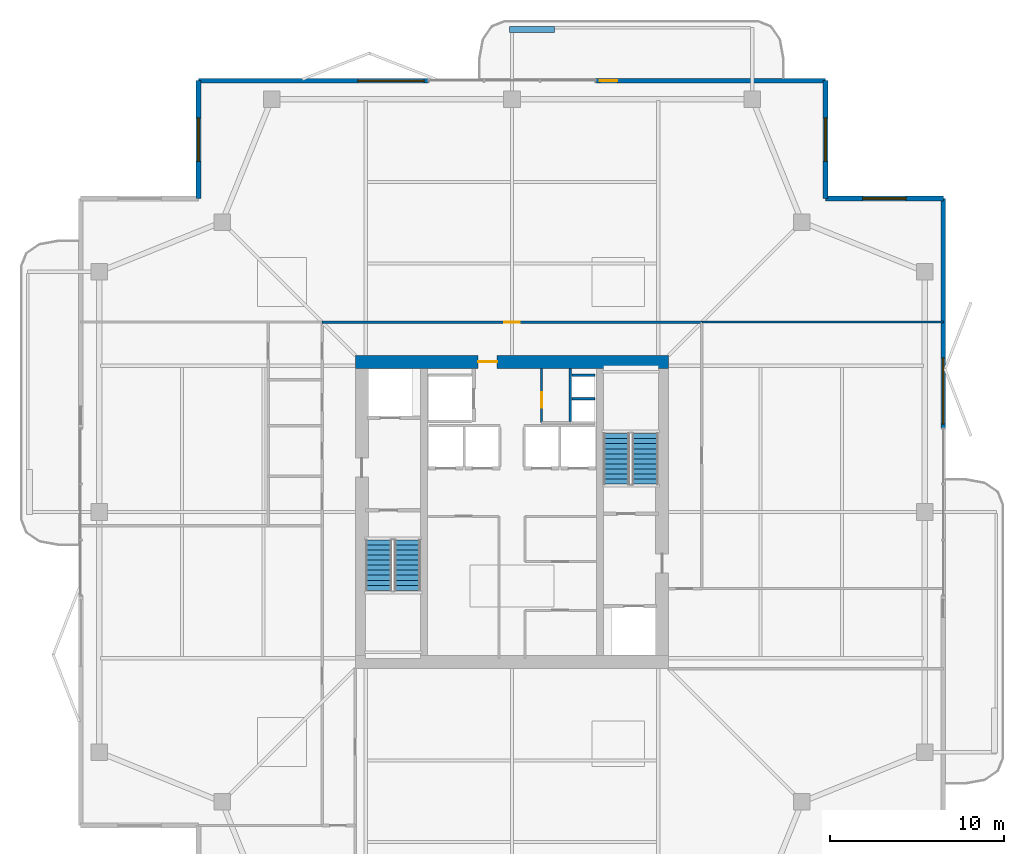
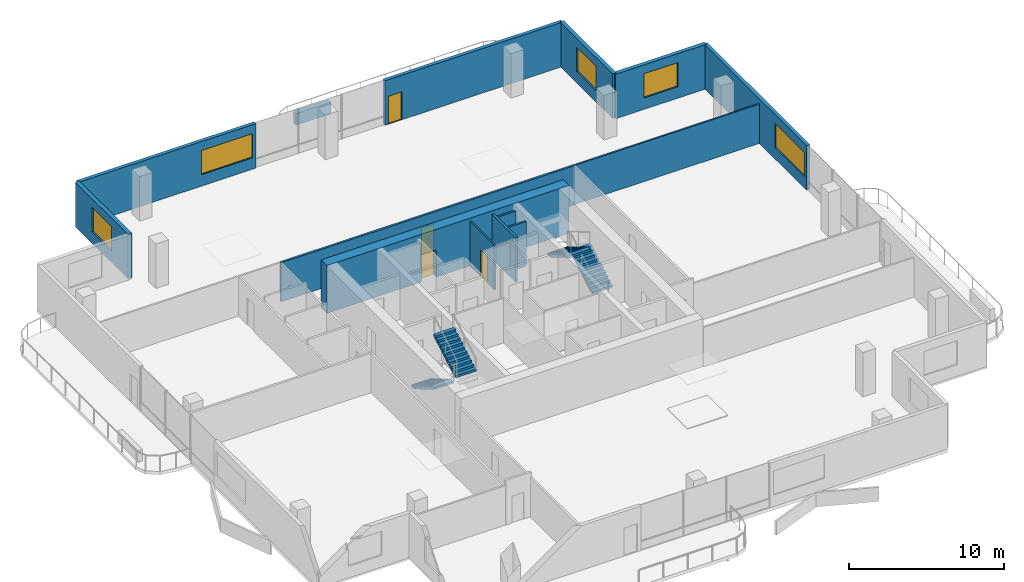
# One storey, part 20 of 23: 14 walls, 5 windows, 4 doors, 4 stair flights, 9 openings, 2 elements without a shape of their own.
"""IFC4 building model written with IfcOpenShell, lengths in metres."""

from ifc_helpers import new_model, si_unit, direction, frame, frame_2d, origin, place, context, subcontext, project, spatial, polyline, rectangle, outline, extrude, material, layer, layer_set, type_object, element, fill, aggregate, save


model = new_model("IFC4")

# Units and contexts
model_context = context("Model", 3, precision=1e-05, world=origin(), true_north=direction((0.0, 1.0)))
body_context = subcontext(model_context, "Body", "Model", "MODEL_VIEW")
ifc_project = project(units=[si_unit("LENGTHUNIT", "METRE"), si_unit("AREAUNIT", "SQUARE_METRE"), si_unit("VOLUMEUNIT", "CUBIC_METRE"), si_unit("PLANEANGLEUNIT", "RADIAN"), si_unit("MASSUNIT", "GRAM", prefix="KILO")], contexts=[model_context])

# Site, building, storey
site_placement = place(None, origin())
site = spatial("IfcSite", under=ifc_project, at=site_placement, CompositionType="ELEMENT")
building_placement = place(site_placement, origin())
building = spatial("IfcBuilding", under=site, at=building_placement, Name="Belovzor Exchange Tower", CompositionType="ELEMENT")
storey_placement = place(building_placement, frame((0.0, 0.0, 276.60009765625)))
storey = spatial("IfcBuildingStorey", under=building, at=storey_placement, Name="L69", CompositionType="ELEMENT", Elevation=276.60009765625)

# Wall
ifc_material_1 = material(Name="Acoustic Plasterboard on Galvanised Studs", Category="gypsum")
ifc_layer_1 = layer(ifc_material_1, 0.1201171875)
ifc_layer_set_1 = layer_set([ifc_layer_1], Name="Acoustic Plasterboard on Galvanised Studs")
wall_type_1 = type_object("IfcWallType", Name="Acoustic Double-Stud Partition Wall 120", PredefinedType="PARTITIONING", material=ifc_layer_set_1)
wall_1_placement = place(storey_placement, frame((39.699951171875, 39.699951171875, 0.0), z_axis=(0.0, 0.0, 1.0), x_axis=(1.0, 0.0, 0.0)))
element("IfcWall", 1, at=wall_1_placement, inside=storey, type_object=wall_type_1, Name="W-P120 Partition Wall W-L69-END-NE", PredefinedType="PARTITIONING", context=body_context, shape_type="SweptSolid", body=[
    extrude(rectangle(XDim=13.8701171875, YDim=0.1201171875, at=frame_2d((6.93505859375, 0.0))), origin(), (0.0, 0.0, 1.0), 3.0849609375),
])

# Wall, opening, door
ifc_material_2 = material(Name="Fire-Rated Plasterboard on Galvanised Studs", Category="gypsum")
ifc_layer_2 = layer(ifc_material_2, 0.1201171875)
ifc_layer_set_2 = layer_set([ifc_layer_2], Name="Fire-Rated Plasterboard on Galvanised Studs")
wall_type_2 = type_object("IfcWallType", Name="Fire-Rated Double-Stud Partition Wall 120", PredefinedType="PARTITIONING", material=ifc_layer_set_2)
wall_2_placement = place(storey_placement, frame((30.5, 33.925048828125, 0.0), z_axis=(0.0, 0.0, 1.0), x_axis=(0.0, 1.0, 0.0)))
wall_2 = element("IfcWall", 2, at=wall_2_placement, inside=storey, type_object=wall_type_2, Name="W-P120F Partition Wall W-CRV-L69-W", PredefinedType="PARTITIONING", context=body_context, shape_type="SweptSolid", body=[
    extrude(rectangle(XDim=3.125, YDim=0.1201171875, at=frame_2d((1.5625, 0.0))), origin(), (0.0, 0.0, 1.0), 3.5),
])
opening_1_placement = place(wall_2_placement, frame((0.85009765625, 0.0, 0.0)))
opening_1 = element("IfcOpeningElement", 3, at=opening_1_placement, cuts=wall_2, Name="Opening D-FD60-090", PredefinedType="OPENING", context=body_context, shape_type="SweptSolid", body=[
    extrude(rectangle(XDim=0.89990234375, YDim=2.10009765625, at=frame_2d((0.449951171875, 1.050048828125))), frame((0.0, 0.070068359375, 0.0), z_axis=(0.0, -1.0, 0.0), x_axis=(1.0, 0.0, 0.0)), (0.0, 0.0, 1.0), 0.14013671875),
])
ifc_material_3 = material(Name="Acoustic Timber Fire Leaf", Category="wood")
door_type_1 = type_object("IfcDoorType", Name="Core Service & Restroom Fire Door 900x2100", OperationType="NOTDEFINED", PredefinedType="DOOR", material=ifc_material_3)
door_1_placement = place(opening_1_placement, origin())
door_1 = element("IfcDoor", 4, at=door_1_placement, inside=storey, type_object=door_type_1, Name="D-FD60-090 Core Service & Restroom Fire Door 900x2100", OperationType="SINGLE_SWING_LEFT", OverallHeight=2.10009765625, OverallWidth=0.89990234375, PredefinedType="DOOR", context=body_context, shape_type="SweptSolid", body=[
    extrude(rectangle(XDim=0.89990234375, YDim=2.10009765625, at=frame_2d((0.449951171875, 1.050048828125))), frame((0.0, 0.02490234375, 0.0), z_axis=(0.0, -1.0, 0.0), x_axis=(1.0, 0.0, 0.0)), (0.0, 0.0, 1.0), 0.050048828125),
])
fill(opening_1, door_1)

ifc_material_4 = material(Name="Fire-Rated Gypsum Block and Mineral Wool", Category="gypsum")
ifc_layer_3 = layer(ifc_material_4, 0.14990234375)
ifc_layer_set_3 = layer_set([ifc_layer_3], Name="Fire-Rated Gypsum Block and Mineral Wool")
wall_type_3 = type_object("IfcWallType", Name="Fire-Rated Gypsum Block Corridor Wall 150", PredefinedType="PARTITIONING", material=ifc_layer_set_3)
wall_3_placement = place(storey_placement, frame((17.89990234375, 39.699951171875, 0.0), z_axis=(0.0, 0.0, 1.0), x_axis=(1.0, 0.0, 0.0)))
wall_3 = element("IfcWall", 5, at=wall_3_placement, inside=storey, type_object=wall_type_3, Name="W-P150 Partition Wall W-L69-CN", PredefinedType="PARTITIONING", context=body_context, shape_type="SweptSolid", body=[
    extrude(rectangle(XDim=21.800048828125, YDim=0.14990234375, at=frame_2d((10.89990234375, 0.0))), origin(), (0.0, 0.0, 1.0), 3.0849609375),
])
opening_2_placement = place(wall_3_placement, frame((10.449951171875, 0.0, 0.0)))
opening_2 = element("IfcOpeningElement", 6, at=opening_2_placement, cuts=wall_3, Name="Opening D-INT-090", PredefinedType="OPENING", context=body_context, shape_type="SweptSolid", body=[
    extrude(rectangle(XDim=0.89990234375, YDim=2.10009765625, at=frame_2d((0.449951171875, 1.050048828125))), frame((0.0, 0.0849609375, 0.0), z_axis=(0.0, -1.0, 0.0), x_axis=(1.0, 0.0, 0.0)), (0.0, 0.0, 1.0), 0.169921875),
])
ifc_material_5 = material(Name="Veneered Hardwood Acoustic Leaf", Category="wood")
door_type_2 = type_object("IfcDoorType", Name="Trading Suite Acoustic Single Door 900x2100", OperationType="NOTDEFINED", PredefinedType="DOOR", material=ifc_material_5)
door_2_placement = place(opening_2_placement, origin())
door_2 = element("IfcDoor", 7, at=door_2_placement, inside=storey, type_object=door_type_2, Name="D-INT-090 Trading Suite Acoustic Single Door 900x2100", OperationType="SINGLE_SWING_LEFT", OverallHeight=2.10009765625, OverallWidth=0.89990234375, PredefinedType="DOOR", context=body_context, shape_type="SweptSolid", body=[
    extrude(rectangle(XDim=0.89990234375, YDim=2.10009765625, at=frame_2d((0.449951171875, 1.050048828125))), frame((0.0, 0.02490234375, 0.0), z_axis=(0.0, -1.0, 0.0), x_axis=(1.0, 0.0, 0.0)), (0.0, 0.0, 1.0), 0.050048828125),
])
fill(opening_2, door_2)

# Wall, opening, window
ifc_material_6 = material(Name="Precast concrete C40/50", Category="concrete")
ifc_layer_4 = layer(ifc_material_6, 0.280029296875)
ifc_layer_set_4 = layer_set([ifc_layer_4], Name="Precast concrete C40/50")
wall_type_4 = type_object("IfcWallType", Name="Precast Concrete Notched Corner Frame Wall 280", PredefinedType="SOLIDWALL", material=ifc_layer_set_4)
wall_4_placement = place(storey_placement, frame((10.800048828125, 46.800048828125, 0.0), z_axis=(0.0, 0.0, 1.0), x_axis=(0.0, 1.0, 0.0)))
wall_4 = element("IfcWall", 8, at=wall_4_placement, inside=storey, type_object=wall_type_4, Name="W-CRN280 Precast Concrete Notched Corner Frame Wall 280 L69", PredefinedType="SOLIDWALL", context=body_context, shape_type="SweptSolid", body=[
    extrude(rectangle(XDim=6.77001953125, YDim=0.280029296875, at=frame_2d((3.385009765625, 0.0))), origin(), (0.0, 0.0, 1.0), 3.5),
])
opening_3_placement = place(wall_4_placement, frame((2.135009765625, 0.0, 0.89990234375)))
opening_3 = element("IfcOpeningElement", 9, at=opening_3_placement, cuts=wall_4, Name="Opening WN-CRN250", PredefinedType="OPENING", context=body_context, shape_type="SweptSolid", body=[
    extrude(rectangle(XDim=2.5, YDim=1.89990234375, at=frame_2d((1.25, 0.949951171875))), frame((0.0, 0.14990234375, 0.0), z_axis=(0.0, -1.0, 0.0), x_axis=(1.0, 0.0, 0.0)), (0.0, 0.0, 1.0), 0.300048828125),
])
ifc_material_7 = material(Name="Thermally Broken Aluminium and Triple Glazing", Category="aluminium")
window_type_1 = type_object("IfcWindowType", Name="Streamline Moderne Corner Wrap Ribbon Window 2500x1900", PartitioningType="SINGLE_PANEL", PredefinedType="WINDOW", material=ifc_material_7)
window_1_placement = place(opening_3_placement, origin())
window_1 = element("IfcWindow", 10, at=window_1_placement, inside=storey, type_object=window_type_1, Name="WN-CRN250 Streamline Moderne Corner Wrap Ribbon Window 2500x1900", OverallHeight=1.89990234375, OverallWidth=2.5, PartitioningType="SINGLE_PANEL", PredefinedType="WINDOW", context=body_context, shape_type="SweptSolid", body=[
    extrude(rectangle(XDim=2.5, YDim=1.89990234375, at=frame_2d((1.25, 0.949951171875))), frame((0.0, 0.030029296875, 0.0), z_axis=(0.0, -1.0, 0.0), x_axis=(1.0, 0.0, 0.0)), (0.0, 0.0, 1.0), 0.06005859375),
])
fill(opening_3, window_1)

wall_5_placement = place(storey_placement, frame((46.800048828125, 53.570068359375, 0.0), z_axis=(0.0, 0.0, 1.0), x_axis=(0.0, -1.0, 0.0)))
wall_5 = element("IfcWall", 11, at=wall_5_placement, inside=storey, type_object=wall_type_4, Name="W-CRN280 Precast Concrete Notched Corner Frame Wall 280 L69", PredefinedType="SOLIDWALL", context=body_context, shape_type="SweptSolid", body=[
    extrude(rectangle(XDim=6.77001953125, YDim=0.280029296875, at=frame_2d((3.385009765625, 0.0))), origin(), (0.0, 0.0, 1.0), 3.5),
])
opening_4_placement = place(wall_5_placement, frame((2.135009765625, 0.0, 0.89990234375)))
opening_4 = element("IfcOpeningElement", 12, at=opening_4_placement, cuts=wall_5, Name="Opening WN-CRN250", PredefinedType="OPENING", context=body_context, shape_type="SweptSolid", body=[
    extrude(rectangle(XDim=2.5, YDim=1.89990234375, at=frame_2d((1.25, 0.949951171875))), frame((0.0, 0.14990234375, 0.0), z_axis=(0.0, -1.0, 0.0), x_axis=(1.0, 0.0, 0.0)), (0.0, 0.0, 1.0), 0.300048828125),
])
window_2_placement = place(opening_4_placement, origin())
window_2 = element("IfcWindow", 13, at=window_2_placement, inside=storey, type_object=window_type_1, Name="WN-CRN250 Streamline Moderne Corner Wrap Ribbon Window 2500x1900", OverallHeight=1.89990234375, OverallWidth=2.5, PartitioningType="SINGLE_PANEL", PredefinedType="WINDOW", context=body_context, shape_type="SweptSolid", body=[
    extrude(rectangle(XDim=2.5, YDim=1.89990234375, at=frame_2d((1.25, 0.949951171875))), frame((0.0, 0.030029296875, 0.0), z_axis=(0.0, -1.0, 0.0), x_axis=(1.0, 0.0, 0.0)), (0.0, 0.0, 1.0), 0.06005859375),
])
fill(opening_4, window_2)

wall_6_placement = place(storey_placement, frame((46.800048828125, 46.800048828125, 0.0), z_axis=(0.0, 0.0, 1.0), x_axis=(1.0, 0.0, 0.0)))
wall_6 = element("IfcWall", 14, at=wall_6_placement, inside=storey, type_object=wall_type_4, Name="W-CRN280 Precast Concrete Notched Corner Frame Wall 280 L69", PredefinedType="SOLIDWALL", context=body_context, shape_type="SweptSolid", body=[
    extrude(rectangle(XDim=6.77001953125, YDim=0.280029296875, at=frame_2d((3.385009765625, 0.0))), origin(), (0.0, 0.0, 1.0), 3.5),
])
opening_5_placement = place(wall_6_placement, frame((2.135009765625, 0.0, 0.89990234375)))
opening_5 = element("IfcOpeningElement", 15, at=opening_5_placement, cuts=wall_6, Name="Opening WN-CRN250", PredefinedType="OPENING", context=body_context, shape_type="SweptSolid", body=[
    extrude(rectangle(XDim=2.5, YDim=1.89990234375, at=frame_2d((1.25, 0.949951171875))), frame((0.0, 0.14990234375, 0.0), z_axis=(0.0, -1.0, 0.0), x_axis=(1.0, 0.0, 0.0)), (0.0, 0.0, 1.0), 0.300048828125),
])
window_3_placement = place(opening_5_placement, origin())
window_3 = element("IfcWindow", 16, at=window_3_placement, inside=storey, type_object=window_type_1, Name="WN-CRN250 Streamline Moderne Corner Wrap Ribbon Window 2500x1900", OverallHeight=1.89990234375, OverallWidth=2.5, PartitioningType="SINGLE_PANEL", PredefinedType="WINDOW", context=body_context, shape_type="SweptSolid", body=[
    extrude(rectangle(XDim=2.5, YDim=1.89990234375, at=frame_2d((1.25, 0.949951171875))), frame((0.0, 0.030029296875, 0.0), z_axis=(0.0, -1.0, 0.0), x_axis=(1.0, 0.0, 0.0)), (0.0, 0.0, 1.0), 0.06005859375),
])
fill(opening_5, window_3)

ifc_material_8 = material(Name="Precast concrete C40/50", Category="concrete")
ifc_layer_5 = layer(ifc_material_8, 0.260009765625)
ifc_layer_set_5 = layer_set([ifc_layer_5], Name="Precast concrete C40/50")
wall_type_5 = type_object("IfcWallType", Name="Precast Concrete Perimeter Loggia Frame Wall 260", PredefinedType="SOLIDWALL", material=ifc_layer_set_5)
wall_7_placement = place(storey_placement, frame((10.800048828125, 53.570068359375, 0.0), z_axis=(0.0, 0.0, 1.0), x_axis=(1.0, 0.0, 0.0)))
wall_7 = element("IfcWall", 17, at=wall_7_placement, inside=storey, type_object=wall_type_5, Name="W-EXT260 Precast Concrete Perimeter Loggia Frame Wall 260 L69", PredefinedType="SOLIDWALL", context=body_context, shape_type="SweptSolid", body=[
    extrude(rectangle(XDim=13.199951171875, YDim=0.260009765625, at=frame_2d((6.60009765625, 0.0))), origin(), (0.0, 0.0, 1.0), 3.5),
])
opening_6_placement = place(wall_7_placement, frame((9.14990234375, 0.0, 0.89990234375)))
opening_6 = element("IfcOpeningElement", 18, at=opening_6_placement, cuts=wall_7, Name="Opening WN-RIB380", PredefinedType="OPENING", context=body_context, shape_type="SweptSolid", body=[
    extrude(rectangle(XDim=3.800048828125, YDim=1.89990234375, at=frame_2d((1.89990234375, 0.949951171875))), frame((0.0, 0.139892578125, 0.0), z_axis=(0.0, -1.0, 0.0), x_axis=(1.0, 0.0, 0.0)), (0.0, 0.0, 1.0), 0.280029296875),
])
ifc_material_9 = material(Name="Thermally Broken Aluminium and Triple Glazing", Category="aluminium")
window_type_2 = type_object("IfcWindowType", Name="Streamline Moderne Horizontal Ribbon Window 3800x1900", PartitioningType="SINGLE_PANEL", PredefinedType="WINDOW", material=ifc_material_9)
window_4_placement = place(opening_6_placement, origin())
window_4 = element("IfcWindow", 19, at=window_4_placement, inside=storey, type_object=window_type_2, Name="WN-RIB380 Streamline Moderne Horizontal Ribbon Window 3800x1900", OverallHeight=1.89990234375, OverallWidth=3.800048828125, PartitioningType="SINGLE_PANEL", PredefinedType="WINDOW", context=body_context, shape_type="SweptSolid", body=[
    extrude(rectangle(XDim=3.800048828125, YDim=1.89990234375, at=frame_2d((1.89990234375, 0.949951171875))), frame((0.0, 0.030029296875, 0.0), z_axis=(0.0, -1.0, 0.0), x_axis=(1.0, 0.0, 0.0)), (0.0, 0.0, 1.0), 0.06005859375),
])
fill(opening_6, window_4)

# Wall, opening, door
wall_8_placement = place(storey_placement, frame((33.60009765625, 53.570068359375, 0.0), z_axis=(0.0, 0.0, 1.0), x_axis=(1.0, 0.0, 0.0)))
wall_8 = element("IfcWall", 20, at=wall_8_placement, inside=storey, type_object=wall_type_5, Name="W-EXT260 Precast Concrete Perimeter Loggia Frame Wall 260 L69", PredefinedType="SOLIDWALL", context=body_context, shape_type="SweptSolid", body=[
    extrude(rectangle(XDim=13.199951171875, YDim=0.260009765625, at=frame_2d((6.60009765625, 0.0))), origin(), (0.0, 0.0, 1.0), 3.5),
])
opening_7_placement = place(wall_8_placement, frame((0.25, 0.0, 0.0)))
opening_7 = element("IfcOpeningElement", 21, at=opening_7_placement, cuts=wall_8, Name="Opening D-BAL100", PredefinedType="OPENING", context=body_context, shape_type="SweptSolid", body=[
    extrude(rectangle(XDim=1.0, YDim=2.199951171875, at=frame_2d((0.5, 1.10009765625))), frame((0.0, 0.139892578125, 0.0), z_axis=(0.0, -1.0, 0.0), x_axis=(1.0, 0.0, 0.0)), (0.0, 0.0, 1.0), 0.280029296875),
])
ifc_material_10 = material(Name="Thermally Broken Anodised Aluminium and Laminated Glass", Category="aluminium")
door_type_3 = type_object("IfcDoorType", Name="Planted Loggia Terrace Glazed Door 1000x2200", OperationType="SINGLE_SWING_LEFT", PredefinedType="DOOR", material=ifc_material_10)
door_3_placement = place(opening_7_placement, origin())
door_3 = element("IfcDoor", 22, at=door_3_placement, inside=storey, type_object=door_type_3, Name="D-BAL100 Balcony Terrace Door L69 N", OperationType="SINGLE_SWING_RIGHT", OverallHeight=2.199951171875, OverallWidth=1.0, PredefinedType="DOOR", context=body_context, shape_type="SweptSolid", body=[
    extrude(rectangle(XDim=1.0, YDim=2.199951171875, at=frame_2d((0.5, 1.10009765625))), frame((0.0, 0.02490234375, 0.0), z_axis=(0.0, -1.0, 0.0), x_axis=(1.0, 0.0, 0.0)), (0.0, 0.0, 1.0), 0.050048828125),
])
fill(opening_7, door_3)

# Wall, opening, window
wall_9_placement = place(storey_placement, frame((53.570068359375, 46.800048828125, 0.0), z_axis=(0.0, 0.0, 1.0), x_axis=(0.0, -1.0, 0.0)))
wall_9 = element("IfcWall", 23, at=wall_9_placement, inside=storey, type_object=wall_type_5, Name="W-EXT260 Precast Concrete Perimeter Loggia Frame Wall 260 L69", PredefinedType="SOLIDWALL", context=body_context, shape_type="SweptSolid", body=[
    extrude(rectangle(XDim=13.199951171875, YDim=0.260009765625, at=frame_2d((6.60009765625, 0.0))), origin(), (0.0, 0.0, 1.0), 3.5),
])
opening_8_placement = place(wall_9_placement, frame((9.14990234375, 0.0, 0.89990234375)))
opening_8 = element("IfcOpeningElement", 24, at=opening_8_placement, cuts=wall_9, Name="Opening WN-RIB380", PredefinedType="OPENING", context=body_context, shape_type="SweptSolid", body=[
    extrude(rectangle(XDim=3.800048828125, YDim=1.89990234375, at=frame_2d((1.89990234375, 0.949951171875))), frame((0.0, 0.139892578125, 0.0), z_axis=(0.0, -1.0, 0.0), x_axis=(1.0, 0.0, 0.0)), (0.0, 0.0, 1.0), 0.280029296875),
])
window_5_placement = place(opening_8_placement, origin())
window_5 = element("IfcWindow", 25, at=window_5_placement, inside=storey, type_object=window_type_2, Name="WN-RIB380 Streamline Moderne Horizontal Ribbon Window 3800x1900", OverallHeight=1.89990234375, OverallWidth=3.800048828125, PartitioningType="SINGLE_PANEL", PredefinedType="WINDOW", context=body_context, shape_type="SweptSolid", body=[
    extrude(rectangle(XDim=3.800048828125, YDim=1.89990234375, at=frame_2d((1.89990234375, 0.949951171875))), frame((0.0, 0.030029296875, 0.0), z_axis=(0.0, -1.0, 0.0), x_axis=(1.0, 0.0, 0.0)), (0.0, 0.0, 1.0), 0.06005859375),
])
fill(opening_8, window_5)

# Walls
ifc_material_11 = material(Name="Precast concrete C40/50", Category="concrete")
ifc_layer_6 = layer(ifc_material_11, 0.35009765625)
ifc_layer_set_6 = layer_set([ifc_layer_6], Name="Precast concrete C40/50")
wall_type_6 = type_object("IfcWallType", Name="Precast Concrete Structural Tree Planter Trough 350", PredefinedType="PARAPET", material=ifc_layer_set_6)
wall_10_placement = place(storey_placement, frame((28.64990234375, 56.5, 0.0), z_axis=(0.0, 0.0, 1.0), x_axis=(1.0, 0.0, 0.0)))
element("IfcWall", 26, at=wall_10_placement, inside=storey, type_object=wall_type_6, Name="PT-350 Precast Concrete Structural Tree Planter Trough 350 L69", PredefinedType="PARAPET", context=body_context, shape_type="SweptSolid", body=[
    extrude(rectangle(XDim=2.60009765625, YDim=0.35009765625, at=frame_2d((1.300048828125, 0.0))), origin(), (0.0, 0.0, 1.0), 0.89990234375),
])
ifc_material_12 = material(Name="Concrete C50/60", Category="concrete")
ifc_layer_7 = layer(ifc_material_12, 0.14990234375)
ifc_layer_set_7 = layer_set([ifc_layer_7], Name="Concrete C50/60")
wall_type_7 = type_object("IfcWallType", Name="Reinforced Concrete Core Riser Shear Wall 150", PredefinedType="SHEAR", material=ifc_layer_set_7)
wall_11_placement = place(storey_placement, frame((32.14990234375, 34.0, 0.0), z_axis=(0.0, 0.0, 1.0), x_axis=(0.0, 1.0, 0.0)))
element("IfcWall", 27, at=wall_11_placement, inside=storey, type_object=wall_type_7, Name="W-C150S Core Shaft Wall W-RSR-L69-E", PredefinedType="SHEAR", context=body_context, shape_type="SweptSolid", body=[
    extrude(rectangle(XDim=3.050048828125, YDim=0.14990234375, at=frame_2d((1.52490234375, 0.0))), origin(), (0.0, 0.0, 1.0), 3.5),
])
for number, where, z_axis, x_axis, name in (
    (28, (32.25, 35.300048828125, 0.0), (0.0, 0.0, 1.0), (1.0, 0.0, 0.0), "W-C150S Core Shaft Wall W-RSR-L69-M"),
    (29, (32.25, 36.64990234375, 0.0), (0.0, 0.0, 1.0), (1.0, 0.0, 0.0), "W-C150S Core Shaft Wall W-RSR-L69-N"),
):
    element("IfcWall", number, at=place(storey_placement, frame(where, z_axis=z_axis, x_axis=x_axis)), inside=storey, type_object=wall_type_7, Name=name, PredefinedType="SHEAR", context=body_context, shape_type="SweptSolid", body=[
        extrude(rectangle(XDim=1.330078125, YDim=0.14990234375, at=frame_2d((0.6650390625, 0.0))), origin(), (0.0, 0.0, 1.0), 3.5),
    ])

# Wall, opening, door
ifc_material_13 = material(Name="Concrete C50/60", Category="concrete")
ifc_layer_8 = layer(ifc_material_13, 0.75)
ifc_layer_set_8 = layer_set([ifc_layer_8], Name="Concrete C50/60")
wall_type_8 = type_object("IfcWallType", Name="Reinforced Concrete Core Shear Wall 750", PredefinedType="SHEAR", material=ifc_layer_set_8)
wall_12_placement = place(storey_placement, frame((19.800048828125, 37.425048828125, 0.0), z_axis=(0.0, 0.0, 1.0), x_axis=(1.0, 0.0, 0.0)))
wall_12 = element("IfcWall", 30, at=wall_12_placement, inside=storey, type_object=wall_type_8, Name="CW-S075 Core Shear Wall L69 N", PredefinedType="SHEAR", context=body_context, shape_type="SweptSolid", body=[
    extrude(rectangle(XDim=18.0, YDim=0.75, at=frame_2d((9.0, 0.0))), origin(), (0.0, 0.0, 1.0), 3.75),
])
opening_9_placement = place(wall_12_placement, frame((7.050048828125, 0.0, 0.0)))
opening_9 = element("IfcOpeningElement", 31, at=opening_9_placement, cuts=wall_12, Name="Opening D-FD90-110", PredefinedType="OPENING", context=body_context, shape_type="SweptSolid", body=[
    extrude(rectangle(XDim=1.10009765625, YDim=2.14990234375, at=frame_2d((0.550048828125, 1.074951171875))), frame((0.0, 0.385009765625, 0.0), z_axis=(0.0, -1.0, 0.0), x_axis=(1.0, 0.0, 0.0)), (0.0, 0.0, 1.0), 0.77001953125),
])
ifc_material_14 = material(Name="Fire-Rated Galvanised Steel Leaf", Category="steel")
door_type_4 = type_object("IfcDoorType", Name="Protected Escape Vestibule Fire Door 1100x2150", OperationType="NOTDEFINED", PredefinedType="DOOR", material=ifc_material_14)
door_4_placement = place(opening_9_placement, origin())
door_4 = element("IfcDoor", 32, at=door_4_placement, inside=storey, type_object=door_type_4, Name="D-FD90-110 Protected Escape Vestibule Fire Door 1100x2150", OperationType="SINGLE_SWING_LEFT", OverallHeight=2.14990234375, OverallWidth=1.10009765625, PredefinedType="DOOR", context=body_context, shape_type="SweptSolid", body=[
    extrude(rectangle(XDim=1.10009765625, YDim=2.14990234375, at=frame_2d((0.550048828125, 1.074951171875))), frame((0.0, 0.02490234375, 0.0), z_axis=(0.0, -1.0, 0.0), x_axis=(1.0, 0.0, 0.0)), (0.0, 0.0, 1.0), 0.050048828125),
])
fill(opening_9, door_4)

# Stair, stair flights
ifc_material_15 = material(Name="Concrete C40/50", Category="concrete")
stair_type = type_object("IfcStairType", Name="Reinforced Concrete Dogleg Escape Stair 1350", PredefinedType="HALF_TURN_STAIR", material=ifc_material_15)
stair_1_placement = place(storey_placement, origin())
stair_1 = element("IfcStair", 33, at=stair_1_placement, inside=storey, type_object=stair_type, Name="L69 ST-1", PredefinedType="HALF_TURN_STAIR")
ifc_material_16 = material(Name="Concrete C40/50", Category="concrete")
stair_flight_type = type_object("IfcStairFlightType", Name="Reinforced Concrete Stair Flight 1350", PredefinedType="STRAIGHT", material=ifc_material_16)
stair_flight_1_placement = place(storey_placement, frame((21.14990234375, 27.199951171875, 0.0), z_axis=(0.0, 0.0, 1.0), x_axis=(0.0, -1.0, 0.0)))
stair_flight_1 = element("IfcStairFlight", 34, at=stair_flight_1_placement, type_object=stair_flight_type, Name="ST-1 flight 1", NumberOfRisers=11, NumberOfTreads=10, PredefinedType="STRAIGHT", RiserHeight=0.170454545, TreadLength=0.29, context=body_context, shape_type="SweptSolid", body=[
    extrude(outline(polyline([(0.0, 0.0), (0.0, 0.17041015625), (0.2900390625, 0.17041015625), (0.2900390625, 0.3408203125), (0.580078125, 0.3408203125), (0.580078125, 0.511474609375), (0.8701171875, 0.511474609375), (0.8701171875, 0.681884765625), (1.159912109375, 0.681884765625), (1.159912109375, 0.852294921875), (1.449951171875, 0.852294921875), (1.449951171875, 1.022705078125), (1.739990234375, 1.022705078125), (1.739990234375, 1.193115234375), (2.030029296875, 1.193115234375), (2.030029296875, 1.363525390625), (2.320068359375, 1.363525390625), (2.320068359375, 1.5341796875), (2.610107421875, 1.5341796875), (2.610107421875, 1.70458984375), (2.89990234375, 1.70458984375), (2.89990234375, 1.875), (2.89990234375, 1.53076171875), (0.2958984375, 0.0), (0.0, 0.0)])), frame((0.0, 0.75, 0.0), z_axis=(0.0, -1.0, 0.0), x_axis=(1.0, 0.0, 0.0)), (0.0, 0.0, 1.0), 1.5),
])
stair_flight_2_placement = place(storey_placement, frame((22.800048828125, 24.300048828125, 1.875), z_axis=(0.0, 0.0, 1.0), x_axis=(0.0, 1.0, 0.0)))
stair_flight_2 = element("IfcStairFlight", 35, at=stair_flight_2_placement, type_object=stair_flight_type, Name="ST-1 flight 2", NumberOfRisers=11, NumberOfTreads=10, PredefinedType="STRAIGHT", RiserHeight=0.170454545, TreadLength=0.29, context=body_context, shape_type="SweptSolid", body=[
    extrude(outline(polyline([(0.0, 0.0), (0.0, 0.17041015625), (0.2900390625, 0.17041015625), (0.2900390625, 0.3408203125), (0.580078125, 0.3408203125), (0.580078125, 0.511474609375), (0.8701171875, 0.511474609375), (0.8701171875, 0.681884765625), (1.159912109375, 0.681884765625), (1.159912109375, 0.852294921875), (1.449951171875, 0.852294921875), (1.449951171875, 1.022705078125), (1.739990234375, 1.022705078125), (1.739990234375, 1.193115234375), (2.030029296875, 1.193115234375), (2.030029296875, 1.363525390625), (2.320068359375, 1.363525390625), (2.320068359375, 1.5341796875), (2.610107421875, 1.5341796875), (2.610107421875, 1.70458984375), (2.89990234375, 1.70458984375), (2.89990234375, 1.875), (2.89990234375, 1.53076171875), (0.2958984375, 0.0), (0.0, 0.0)])), frame((0.0, 0.75, 0.0), z_axis=(0.0, -1.0, 0.0), x_axis=(1.0, 0.0, 0.0)), (0.0, 0.0, 1.0), 1.5),
])
aggregate(stair_1, [stair_flight_1, stair_flight_2])

stair_2_placement = place(storey_placement, origin())
stair_2 = element("IfcStair", 36, at=stair_2_placement, inside=storey, type_object=stair_type, Name="L69 ST-2", PredefinedType="HALF_TURN_STAIR")
stair_flight_3_placement = place(storey_placement, frame((36.449951171875, 30.39990234375, 0.0), z_axis=(0.0, 0.0, 1.0), x_axis=(0.0, 1.0, 0.0)))
stair_flight_3 = element("IfcStairFlight", 37, at=stair_flight_3_placement, type_object=stair_flight_type, Name="ST-2 flight 1", NumberOfRisers=11, NumberOfTreads=10, PredefinedType="STRAIGHT", RiserHeight=0.170454545, TreadLength=0.29, context=body_context, shape_type="SweptSolid", body=[
    extrude(outline(polyline([(0.0, 0.0), (0.0, 0.17041015625), (0.2900390625, 0.17041015625), (0.2900390625, 0.3408203125), (0.580078125, 0.3408203125), (0.580078125, 0.511474609375), (0.8701171875, 0.511474609375), (0.8701171875, 0.681884765625), (1.159912109375, 0.681884765625), (1.159912109375, 0.852294921875), (1.449951171875, 0.852294921875), (1.449951171875, 1.022705078125), (1.739990234375, 1.022705078125), (1.739990234375, 1.193115234375), (2.030029296875, 1.193115234375), (2.030029296875, 1.363525390625), (2.320068359375, 1.363525390625), (2.320068359375, 1.5341796875), (2.610107421875, 1.5341796875), (2.610107421875, 1.70458984375), (2.89990234375, 1.70458984375), (2.89990234375, 1.875), (2.89990234375, 1.53076171875), (0.2958984375, 0.0), (0.0, 0.0)])), frame((0.0, 0.75, 0.0), z_axis=(0.0, -1.0, 0.0), x_axis=(1.0, 0.0, 0.0)), (0.0, 0.0, 1.0), 1.5),
])
stair_flight_4_placement = place(storey_placement, frame((34.800048828125, 33.300048828125, 1.875), z_axis=(0.0, 0.0, 1.0), x_axis=(0.0, -1.0, 0.0)))
stair_flight_4 = element("IfcStairFlight", 38, at=stair_flight_4_placement, type_object=stair_flight_type, Name="ST-2 flight 2", NumberOfRisers=11, NumberOfTreads=10, PredefinedType="STRAIGHT", RiserHeight=0.170454545, TreadLength=0.29, context=body_context, shape_type="SweptSolid", body=[
    extrude(outline(polyline([(0.0, 0.0), (0.0, 0.17041015625), (0.2900390625, 0.17041015625), (0.2900390625, 0.3408203125), (0.580078125, 0.3408203125), (0.580078125, 0.511474609375), (0.8701171875, 0.511474609375), (0.8701171875, 0.681884765625), (1.159912109375, 0.681884765625), (1.159912109375, 0.852294921875), (1.449951171875, 0.852294921875), (1.449951171875, 1.022705078125), (1.739990234375, 1.022705078125), (1.739990234375, 1.193115234375), (2.030029296875, 1.193115234375), (2.030029296875, 1.363525390625), (2.320068359375, 1.363525390625), (2.320068359375, 1.5341796875), (2.610107421875, 1.5341796875), (2.610107421875, 1.70458984375), (2.89990234375, 1.70458984375), (2.89990234375, 1.875), (2.89990234375, 1.53076171875), (0.2958984375, 0.0), (0.0, 0.0)])), frame((0.0, 0.75, 0.0), z_axis=(0.0, -1.0, 0.0), x_axis=(1.0, 0.0, 0.0)), (0.0, 0.0, 1.0), 1.5),
])
aggregate(stair_2, [stair_flight_3, stair_flight_4])

save(model, "model.ifc")
